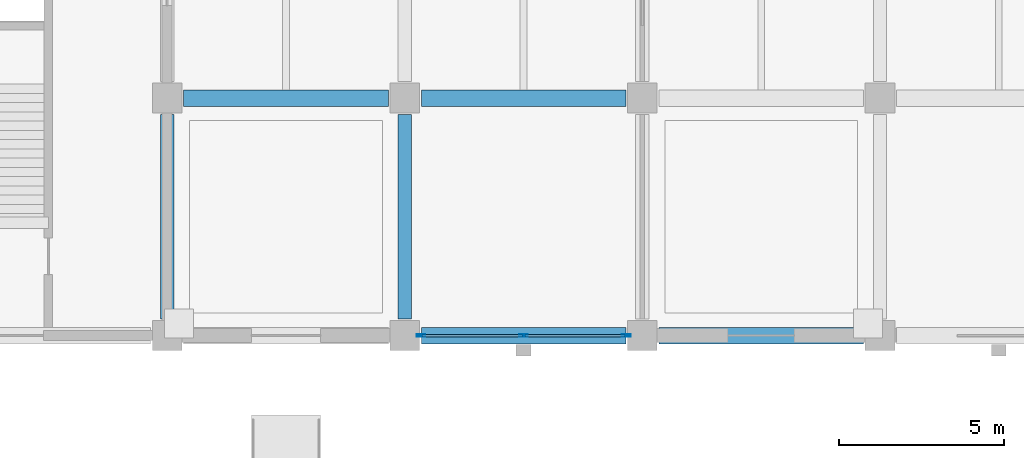
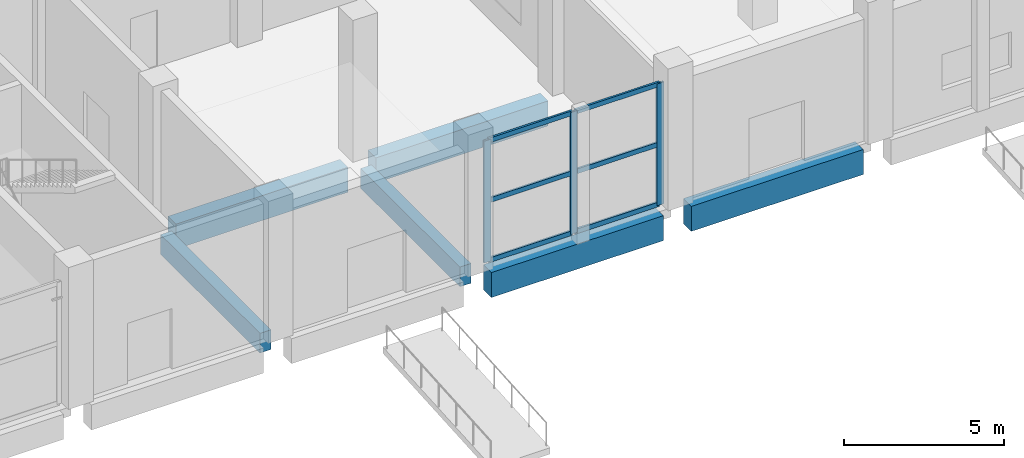
# One storey, part 33 of 70: 9 members, 6 beams, 1 element without a shape of its own.
"""IFC4 building model written with IfcOpenShell, lengths in metres."""

from ifc_helpers import new_model, si_unit, direction, frame, origin, origin_2d, place, context, subcontext, project, spatial, rectangle, hollow_rectangle, extrude, material, material_profile, profile_set, type_object, element, aggregate, save


model = new_model("IFC4")

# Units and contexts
model_context = context("Model", 3, precision=1e-05, world=origin(), true_north=direction((0.0, 1.0)))
body_context = subcontext(model_context, "Body", "Model", "MODEL_VIEW")
ifc_project = project(units=[si_unit("LENGTHUNIT", "METRE"), si_unit("AREAUNIT", "SQUARE_METRE"), si_unit("VOLUMEUNIT", "CUBIC_METRE"), si_unit("PLANEANGLEUNIT", "RADIAN"), si_unit("MASSUNIT", "GRAM", prefix="KILO")], contexts=[model_context])

# Site, building, storey
site_placement = place(None, origin())
site = spatial("IfcSite", under=ifc_project, at=site_placement, CompositionType="ELEMENT")
building_placement = place(site_placement, origin())
building = spatial("IfcBuilding", under=site, at=building_placement, Name="Vesperath Aquatics Centre", CompositionType="ELEMENT")
storey_placement = place(building_placement, origin())
storey = spatial("IfcBuildingStorey", under=building, at=storey_placement, Name="L00", CompositionType="ELEMENT", Elevation=0.0)

# Beams
ifc_material_1 = material(Name="Concrete C40", Category="concrete")
ifc_material_profile_1 = material_profile(ifc_material_1, rectangle(XDim=0.5, YDim=0.949951171875, at=origin_2d()), Name="RC 500x950")
ifc_profile_set_1 = profile_set([ifc_material_profile_1], Name="Concrete C40")
beam_type_1 = type_object("IfcBeamType", Name="BM-G02", PredefinedType="BEAM", material=ifc_profile_set_1)
for number, where, z_axis, x_axis, name in (
    (1, (130.10009765625, 7.199951171875, -0.7548828125), (1.0, 0.0, 0.0), (0.0, 1.0, 0.0), "Floor Girder B02 L00 B 19-20"),
    (2, (137.300048828125, 0.0, -0.7548828125), (1.0, 0.0, 0.0), (0.0, 1.0, 0.0), "Floor Girder B02 L00 A 20-21"),
    (3, (137.300048828125, 7.199951171875, -0.7548828125), (1.0, 0.0, 0.0), (0.0, 1.0, 0.0), "Floor Girder B02 L00 B 20-21"),
    (4, (144.5, 0.0, -0.7548828125), (1.0, 0.0, 0.0), (0.0, 1.0, 0.0), "Floor Girder B02 L00 A 21-22"),
):
    element("IfcBeam", number, at=place(storey_placement, frame(where, z_axis=z_axis, x_axis=x_axis)), inside=storey, type_object=beam_type_1, Name=name, PredefinedType="BEAM", context=body_context, shape_type="SweptSolid", body=[
        extrude(rectangle(XDim=0.5, YDim=0.949951171875, at=origin_2d()), origin(), (0.0, 0.0, 1.0), 6.199951171875),
    ])
ifc_material_2 = material(Name="Concrete C35", Category="concrete")
ifc_material_profile_2 = material_profile(ifc_material_2, rectangle(XDim=0.39990234375, YDim=0.75, at=origin_2d()), Name="RC 400x750")
ifc_profile_set_2 = profile_set([ifc_material_profile_2], Name="Concrete C35")
beam_type_2 = type_object("IfcBeamType", Name="BM-G04", PredefinedType="BEAM", material=ifc_profile_set_2)
for number, where, z_axis, x_axis, name in (
    (5, (129.60009765625, 0.5, -0.655029296875), (0.0, 1.0, 0.0), (-1.0, 0.0, 0.0), "Floor Girder B04 L00 19 A-B"),
    (6, (136.800048828125, 0.5, -0.655029296875), (0.0, 1.0, 0.0), (-1.0, 0.0, 0.0), "Floor Girder B04 L00 20 A-B"),
):
    element("IfcBeam", number, at=place(storey_placement, frame(where, z_axis=z_axis, x_axis=x_axis)), inside=storey, type_object=beam_type_2, Name=name, PredefinedType="BEAM", context=body_context, shape_type="SweptSolid", body=[
        extrude(rectangle(XDim=0.39990234375, YDim=0.75, at=origin_2d()), origin(), (0.0, 0.0, 1.0), 6.199951171875),
    ])

# Curtain wall, members
ifc_material_3 = material(Name="Thermally broken anodised bronze aluminium curtain wall", Category="aluminium")
curtain_wall_type = type_object("IfcCurtainWallType", Name="CW-01", PredefinedType="NOTDEFINED", material=ifc_material_3)
curtain_wall_placement = place(storey_placement, origin())
curtain_wall = element("IfcCurtainWall", 7, at=curtain_wall_placement, inside=storey, type_object=curtain_wall_type, Name="Facade Curtain Wall CW01 L00_S_19_00", PredefinedType="NOTDEFINED")
ifc_material_4 = material(Name="Thermally broken anodised aluminium", Category="aluminium")
ifc_material_profile_3 = material_profile(ifc_material_4, hollow_rectangle(XDim=0.074951171875, YDim=0.260009765625, WallThickness=0.006103515625, at=origin_2d()), Name="CWM 75x260x6")
ifc_profile_set_3 = profile_set([ifc_material_profile_3], Name="Thermally broken anodised aluminium")
member_type_1 = type_object("IfcMemberType", Name="MB-CWM1", PredefinedType="MULLION", material=ifc_profile_set_3)
member_1_placement = place(storey_placement, frame((137.28759765625, 0.0, 0.0), z_axis=(0.0, 0.0, 1.0), x_axis=(0.0, 1.0, 0.0)))
member_1 = element("IfcMember", 8, at=member_1_placement, type_object=member_type_1, Name="CW01 mullion 1", PredefinedType="MULLION", context=body_context, shape_type="SweptSolid", body=[
    extrude(hollow_rectangle(XDim=0.074951171875, YDim=0.260009765625, WallThickness=0.006103515625, at=origin_2d()), origin(), (0.0, 0.0, 1.0), 4.639892578125),
])
member_2_placement = place(storey_placement, frame((140.39990234375, 0.0, 0.0), z_axis=(0.0, 0.0, 1.0), x_axis=(0.0, 1.0, 0.0)))
member_2 = element("IfcMember", 9, at=member_2_placement, type_object=member_type_1, Name="CW01 mullion 2", PredefinedType="MULLION", context=body_context, shape_type="SweptSolid", body=[
    extrude(hollow_rectangle(XDim=0.074951171875, YDim=0.260009765625, WallThickness=0.006103515625, at=origin_2d()), origin(), (0.0, 0.0, 1.0), 4.639892578125),
])
member_3_placement = place(storey_placement, frame((143.512451171875, 0.0, 0.0), z_axis=(0.0, 0.0, 1.0), x_axis=(0.0, 1.0, 0.0)))
member_3 = element("IfcMember", 10, at=member_3_placement, type_object=member_type_1, Name="CW01 mullion 3", PredefinedType="MULLION", context=body_context, shape_type="SweptSolid", body=[
    extrude(hollow_rectangle(XDim=0.074951171875, YDim=0.260009765625, WallThickness=0.006103515625, at=origin_2d()), origin(), (0.0, 0.0, 1.0), 4.639892578125),
])
ifc_material_profile_4 = material_profile(ifc_material_4, hollow_rectangle(XDim=0.074951171875, YDim=0.179931640625, WallThickness=0.0048828125, at=origin_2d()), Name="CWT 75x180x5")
ifc_profile_set_4 = profile_set([ifc_material_profile_4], Name="Thermally broken anodised aluminium")
member_type_2 = type_object("IfcMemberType", Name="MB-CWT1", PredefinedType="USERDEFINED", material=ifc_profile_set_4)
member_4_placement = place(storey_placement, frame((137.324951171875, 0.0, 0.03759765625), z_axis=(1.0, 0.0, 0.0), x_axis=(0.0, 1.0, 0.0)))
member_4 = element("IfcMember", 11, at=member_4_placement, type_object=member_type_2, Name="CW01 transom 1.1", ObjectType="TRANSOM", PredefinedType="USERDEFINED", context=body_context, shape_type="SweptSolid", body=[
    extrude(hollow_rectangle(XDim=0.074951171875, YDim=0.179931640625, WallThickness=0.0048828125, at=origin_2d()), origin(), (0.0, 0.0, 1.0), 3.03759765625),
])
member_5_placement = place(storey_placement, frame((137.324951171875, 0.0, 2.320068359375), z_axis=(1.0, 0.0, 0.0), x_axis=(0.0, 1.0, 0.0)))
member_5 = element("IfcMember", 12, at=member_5_placement, type_object=member_type_2, Name="CW01 transom 1.2", ObjectType="TRANSOM", PredefinedType="USERDEFINED", context=body_context, shape_type="SweptSolid", body=[
    extrude(hollow_rectangle(XDim=0.074951171875, YDim=0.179931640625, WallThickness=0.0048828125, at=origin_2d()), origin(), (0.0, 0.0, 1.0), 3.03759765625),
])
member_6_placement = place(storey_placement, frame((137.324951171875, 0.0, 4.6025390625), z_axis=(1.0, 0.0, 0.0), x_axis=(0.0, 1.0, 0.0)))
member_6 = element("IfcMember", 13, at=member_6_placement, type_object=member_type_2, Name="CW01 transom 1.3", ObjectType="TRANSOM", PredefinedType="USERDEFINED", context=body_context, shape_type="SweptSolid", body=[
    extrude(hollow_rectangle(XDim=0.074951171875, YDim=0.179931640625, WallThickness=0.0048828125, at=origin_2d()), origin(), (0.0, 0.0, 1.0), 3.03759765625),
])
member_7_placement = place(storey_placement, frame((140.4375, 0.0, 0.03759765625), z_axis=(1.0, 0.0, 0.0), x_axis=(0.0, 1.0, 0.0)))
member_7 = element("IfcMember", 14, at=member_7_placement, type_object=member_type_2, Name="CW01 transom 2.1", ObjectType="TRANSOM", PredefinedType="USERDEFINED", context=body_context, shape_type="SweptSolid", body=[
    extrude(hollow_rectangle(XDim=0.074951171875, YDim=0.179931640625, WallThickness=0.0048828125, at=origin_2d()), origin(), (0.0, 0.0, 1.0), 3.03759765625),
])
member_8_placement = place(storey_placement, frame((140.4375, 0.0, 2.320068359375), z_axis=(1.0, 0.0, 0.0), x_axis=(0.0, 1.0, 0.0)))
member_8 = element("IfcMember", 15, at=member_8_placement, type_object=member_type_2, Name="CW01 transom 2.2", ObjectType="TRANSOM", PredefinedType="USERDEFINED", context=body_context, shape_type="SweptSolid", body=[
    extrude(hollow_rectangle(XDim=0.074951171875, YDim=0.179931640625, WallThickness=0.0048828125, at=origin_2d()), origin(), (0.0, 0.0, 1.0), 3.03759765625),
])
member_9_placement = place(storey_placement, frame((140.4375, 0.0, 4.6025390625), z_axis=(1.0, 0.0, 0.0), x_axis=(0.0, 1.0, 0.0)))
member_9 = element("IfcMember", 16, at=member_9_placement, type_object=member_type_2, Name="CW01 transom 2.3", ObjectType="TRANSOM", PredefinedType="USERDEFINED", context=body_context, shape_type="SweptSolid", body=[
    extrude(hollow_rectangle(XDim=0.074951171875, YDim=0.179931640625, WallThickness=0.0048828125, at=origin_2d()), origin(), (0.0, 0.0, 1.0), 3.03759765625),
])
aggregate(curtain_wall, [member_1, member_2, member_3, member_4, member_5, member_6, member_7, member_8, member_9])

save(model, "model.ifc")
